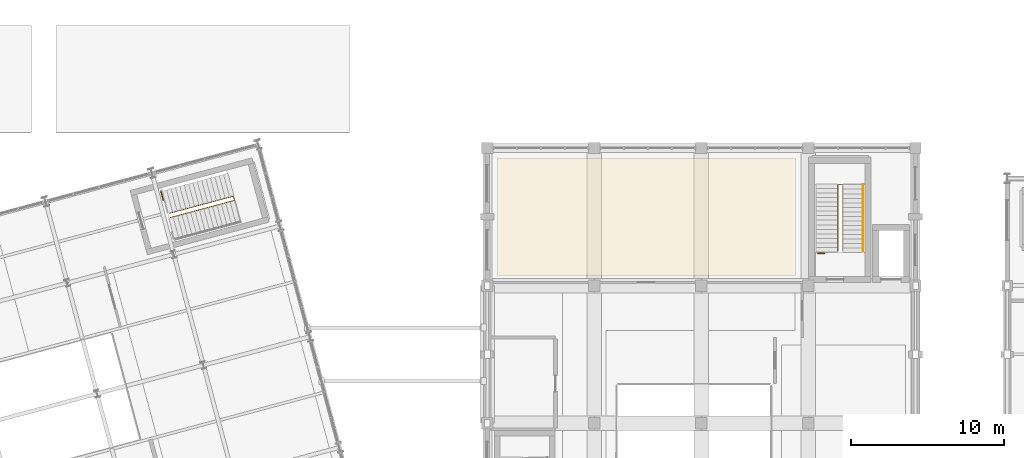
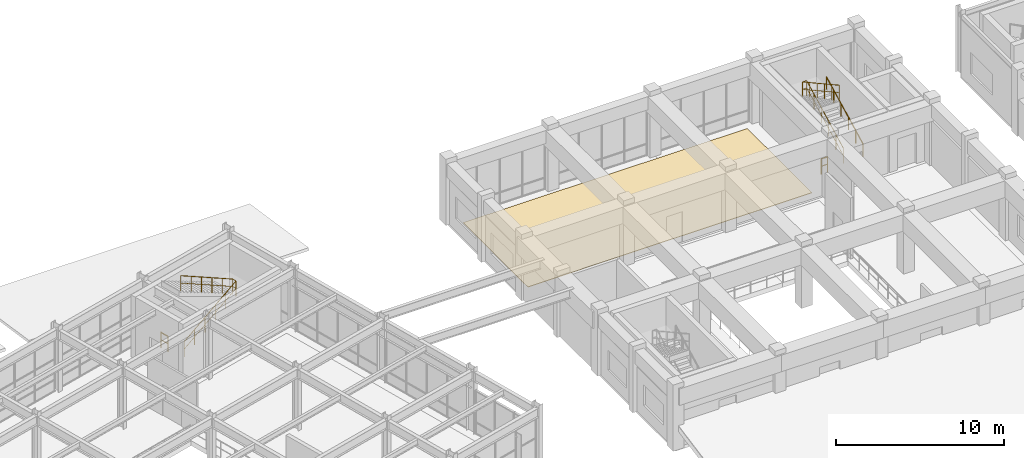
# One storey, part 102 of 104: 5 railings, 1 covering.
"""IFC4 building model written with IfcOpenShell, lengths in metres."""

from ifc_helpers import new_model, si_unit, direction, frame, origin, origin_2d, place, context, subcontext, project, spatial, polyline, circle, outline, extrude, material, layer, layer_set, type_object, element, save


model = new_model("IFC4")

# Units and contexts
model_context = context("Model", 3, precision=1e-05, world=origin(), true_north=direction((0.0, 1.0)))
body_context = subcontext(model_context, "Body", "Model", "MODEL_VIEW")
ifc_project = project(units=[si_unit("LENGTHUNIT", "METRE"), si_unit("AREAUNIT", "SQUARE_METRE"), si_unit("VOLUMEUNIT", "CUBIC_METRE"), si_unit("PLANEANGLEUNIT", "RADIAN"), si_unit("MASSUNIT", "GRAM", prefix="KILO")], contexts=[model_context])

# Site, building, storey
site_placement = place(None, origin())
site = spatial("IfcSite", under=ifc_project, at=site_placement, CompositionType="ELEMENT")
building_placement = place(site_placement, origin())
building = spatial("IfcBuilding", under=site, at=building_placement, Name="Ventoquebrada Cableway Terminal", CompositionType="ELEMENT")
storey_placement = place(building_placement, frame((0.0, 0.0, 4.800048828125)))
storey = spatial("IfcBuildingStorey", under=building, at=storey_placement, Name="L01", CompositionType="ELEMENT", Elevation=4.800048828125)

# Covering
ifc_material_1 = material(Name="Honed volcanic basalt stone flooring", Category="masonry")
ifc_layer = layer(ifc_material_1, 0.034912109375)
ifc_layer_set = layer_set([ifc_layer], Name="Honed volcanic basalt stone flooring")
covering_type = type_object("IfcCoveringType", Name="COV-FL01", PredefinedType="FLOORING", material=ifc_layer_set)
covering_placement = place(storey_placement, origin())
element("IfcCovering", 1, at=covering_placement, inside=storey, type_object=covering_type, Name="Honed basalt floor finish FL-14", PredefinedType="FLOORING", context=body_context, shape_type="SweptSolid", body=[
    extrude(outline(polyline([(95.64990234375, 95.64990234375), (99.31103515625, 95.64990234375), (99.35791015625, 95.669921875), (115.14990234375, 95.669921875), (115.14990234375, 103.35009765625), (95.64990234375, 103.35009765625), (95.64990234375, 95.64990234375)])), origin(), (0.0, 0.0, 1.0), 0.034912109375),
])

# Railings
ifc_material_2 = material(Name="Brushed stainless steel Grade 316", Category="steel")
railing_type_1 = type_object("IfcRailingType", Name="RL-GD01", PredefinedType="GUARDRAIL", material=ifc_material_2)
railing_1_placement = place(storey_placement, frame((118.2099609375, 97.25, 0.14990234375)))
element("IfcRailing", 2, at=railing_1_placement, inside=storey, type_object=railing_type_1, Name="Stair well guardrail GR-S29", PredefinedType="GUARDRAIL", context=body_context, shape_type="SweptSolid", body=[
    extrude(circle(Radius=0.02392578125, at=origin_2d()), frame((0.0, 0.001708984375, 1.096923828125), z_axis=(0.0, 0.888221851817, 0.459414782038), x_axis=(-1.0, 0.0, 0.0)), (0.0, 0.0, 1.0), 4.8935546875),
    extrude(circle(Radius=0.01611328125, at=origin_2d()), frame((0.0, 0.001708984375, 0.56103515625), z_axis=(0.0, 0.888221851817, 0.459414782038), x_axis=(-1.0, 0.0, 0.0)), (0.0, 0.0, 1.0), 4.8935546875),
    extrude(circle(Radius=0.02392578125, at=origin_2d()), frame((-0.001953125, 4.35009765625, 3.34619140625), z_axis=(-1.0, 0.0, 0.0), x_axis=(0.0, -1.0, 0.0)), (0.0, 0.0, 1.0), 0.276123046875),
    extrude(circle(Radius=0.01611328125, at=origin_2d()), frame((-0.001953125, 4.35009765625, 2.81005859375), z_axis=(-1.0, 0.0, 0.0), x_axis=(0.0, -1.0, 0.0)), (0.0, 0.0, 1.0), 0.276123046875),
    extrude(circle(Radius=0.02392578125, at=origin_2d()), frame((-0.280029296875, 4.348388671875, 3.346923828125), z_axis=(0.0, -0.875569800069, 0.483091632309), x_axis=(1.0, 0.0, 0.0)), (0.0, 0.0, 1.0), 4.96435546875),
    extrude(circle(Radius=0.01611328125, at=origin_2d()), frame((-0.280029296875, 4.348388671875, 2.81103515625), z_axis=(0.0, -0.875569800069, 0.483091632309), x_axis=(1.0, 0.0, 0.0)), (0.0, 0.0, 1.0), 4.96435546875),
    extrude(circle(Radius=0.02099609375, at=origin_2d()), origin(), (0.0, 0.0, 1.0), 1.072021484375),
    extrude(circle(Radius=0.02099609375, at=origin_2d()), frame((0.0, 0.8701171875, 0.449951171875)), (0.0, 0.0, 1.0), 1.072021484375),
    extrude(circle(Radius=0.02099609375, at=origin_2d()), frame((0.0, 1.739990234375, 0.89990234375)), (0.0, 0.0, 1.0), 1.072021484375),
    extrude(circle(Radius=0.02099609375, at=origin_2d()), frame((0.0, 2.610107421875, 1.35009765625)), (0.0, 0.0, 1.0), 1.072021484375),
    extrude(circle(Radius=0.02099609375, at=origin_2d()), frame((0.0, 3.47998046875, 1.800048828125)), (0.0, 0.0, 1.0), 1.072021484375),
    extrude(circle(Radius=0.02099609375, at=origin_2d()), frame((0.0, 4.35009765625, 2.25)), (0.0, 0.0, 1.0), 1.072021484375),
    extrude(circle(Radius=0.02099609375, at=origin_2d()), frame((-0.280029296875, 4.35009765625, 2.25)), (0.0, 0.0, 1.0), 1.072021484375),
    extrude(circle(Radius=0.02099609375, at=origin_2d()), frame((-0.280029296875, 3.47998046875, 2.72998046875)), (0.0, 0.0, 1.0), 1.072021484375),
    extrude(circle(Radius=0.02099609375, at=origin_2d()), frame((-0.280029296875, 2.610107421875, 3.2099609375)), (0.0, 0.0, 1.0), 1.072021484375),
    extrude(circle(Radius=0.02099609375, at=origin_2d()), frame((-0.280029296875, 1.739990234375, 3.690185546875)), (0.0, 0.0, 1.0), 1.072021484375),
    extrude(circle(Radius=0.02099609375, at=origin_2d()), frame((-0.280029296875, 0.8701171875, 4.170166015625)), (0.0, 0.0, 1.0), 1.072021484375),
    extrude(circle(Radius=0.02099609375, at=origin_2d()), frame((-0.280029296875, 0.0, 4.650146484375)), (0.0, 0.0, 1.0), 1.072021484375),
])
railing_2_placement = place(storey_placement, frame((74.259033203125, 99.450927734375, 0.14990234375)))
element("IfcRailing", 3, at=railing_2_placement, inside=storey, type_object=railing_type_1, Name="Stair well guardrail GR-S34", PredefinedType="GUARDRAIL", context=body_context, shape_type="SweptSolid", body=[
    extrude(circle(Radius=0.02392578125, at=origin_2d()), frame((0.001708984375, 0.00048828125, 1.096923828125), z_axis=(0.857954622313, 0.229904521417, 0.459410249215), x_axis=(-0.258836138861, 0.965921245868, 0.0)), (0.0, 0.0, 1.0), 4.8935546875),
    extrude(circle(Radius=0.01611328125, at=origin_2d()), frame((0.001708984375, 0.00048828125, 0.56103515625), z_axis=(0.857954622313, 0.229904521417, 0.459410249215), x_axis=(-0.258836138861, 0.965921245868, 0.0)), (0.0, 0.0, 1.0), 4.8935546875),
    extrude(circle(Radius=0.02392578125, at=origin_2d()), frame((4.201416015625, 1.1279296875, 3.34619140625), z_axis=(-0.260098256048, 0.965582154558, 0.0), x_axis=(-0.965582154558, -0.260098256048, 0.0)), (0.0, 0.0, 1.0), 0.276611328125),
    extrude(circle(Radius=0.01611328125, at=origin_2d()), frame((4.201416015625, 1.1279296875, 2.81005859375), z_axis=(-0.260098256048, 0.965582154558, 0.0), x_axis=(-0.965582154558, -0.260098256048, 0.0)), (0.0, 0.0, 1.0), 0.276611328125),
    extrude(circle(Radius=0.02392578125, at=origin_2d()), frame((4.127197265625, 1.396484375, 3.346923828125), z_axis=(-0.845677960168, -0.226667446521, 0.483167317162), x_axis=(0.258892276357, -0.965906201058, 0.0)), (0.0, 0.0, 1.0), 4.963623046875),
    extrude(circle(Radius=0.01611328125, at=origin_2d()), frame((4.127197265625, 1.396484375, 2.81103515625), z_axis=(-0.845677960168, -0.226667446521, 0.483167317162), x_axis=(0.258892276357, -0.965906201058, 0.0)), (0.0, 0.0, 1.0), 4.963623046875),
    extrude(circle(Radius=0.02099609375, at=origin_2d()), origin(), (0.0, 0.0, 1.0), 1.072021484375),
    extrude(circle(Radius=0.02099609375, at=origin_2d()), frame((0.84033203125, 0.22509765625, 0.449951171875)), (0.0, 0.0, 1.0), 1.072021484375),
    extrude(circle(Radius=0.02099609375, at=origin_2d()), frame((1.6806640625, 0.450439453125, 0.89990234375)), (0.0, 0.0, 1.0), 1.072021484375),
    extrude(circle(Radius=0.02099609375, at=origin_2d()), frame((2.521240234375, 0.675537109375, 1.35009765625)), (0.0, 0.0, 1.0), 1.072021484375),
    extrude(circle(Radius=0.02099609375, at=origin_2d()), frame((3.361572265625, 0.90087890625, 1.800048828125)), (0.0, 0.0, 1.0), 1.072021484375),
    extrude(circle(Radius=0.02099609375, at=origin_2d()), frame((4.201904296875, 1.1259765625, 2.25)), (0.0, 0.0, 1.0), 1.072021484375),
    extrude(circle(Radius=0.02099609375, at=origin_2d()), frame((4.12890625, 1.39697265625, 2.25)), (0.0, 0.0, 1.0), 1.072021484375),
    extrude(circle(Radius=0.02099609375, at=origin_2d()), frame((3.288818359375, 1.171875, 2.72998046875)), (0.0, 0.0, 1.0), 1.072021484375),
    extrude(circle(Radius=0.02099609375, at=origin_2d()), frame((2.448486328125, 0.946533203125, 3.2099609375)), (0.0, 0.0, 1.0), 1.072021484375),
    extrude(circle(Radius=0.02099609375, at=origin_2d()), frame((1.6083984375, 0.721435546875, 3.690185546875)), (0.0, 0.0, 1.0), 1.072021484375),
    extrude(circle(Radius=0.02099609375, at=origin_2d()), frame((0.76806640625, 0.49609375, 4.170166015625)), (0.0, 0.0, 1.0), 1.072021484375),
    extrude(circle(Radius=0.02099609375, at=origin_2d()), frame((-0.072021484375, 0.27099609375, 4.650146484375)), (0.0, 0.0, 1.0), 1.072021484375),
])
railing_3_placement = place(storey_placement, frame((116.6201171875, 97.110107421875, 0.0)))
element("IfcRailing", 4, at=railing_3_placement, inside=storey, type_object=railing_type_1, Name="Open-edge guardrail GR-E070", PredefinedType="GUARDRAIL", context=body_context, shape_type="SweptSolid", body=[
    extrude(circle(Radius=0.02392578125, at=origin_2d()), frame((0.001953125, 0.0, 1.09619140625), z_axis=(1.0, 0.0, 0.0), x_axis=(0.0, 1.0, 0.0)), (0.0, 0.0, 1.0), 0.416015625),
    extrude(circle(Radius=0.01611328125, at=origin_2d()), frame((0.001953125, 0.0, 0.56005859375), z_axis=(1.0, 0.0, 0.0), x_axis=(0.0, 1.0, 0.0)), (0.0, 0.0, 1.0), 0.416015625),
    extrude(circle(Radius=0.02099609375, at=origin_2d()), origin(), (0.0, 0.0, 1.0), 1.072021484375),
    extrude(circle(Radius=0.02099609375, at=origin_2d()), frame((0.419921875, 0.0, 0.0)), (0.0, 0.0, 1.0), 1.072021484375),
])
railing_4_placement = place(storey_placement, frame((73.653076171875, 101.1689453125, 0.0)))
element("IfcRailing", 5, at=railing_4_placement, inside=storey, type_object=railing_type_1, Name="Open-edge guardrail GR-E073", PredefinedType="GUARDRAIL", context=body_context, shape_type="SweptSolid", body=[
    extrude(circle(Radius=0.02392578125, at=origin_2d()), frame((0.00048828125, -0.001953125, 1.09619140625), z_axis=(0.258428510656, -0.966030385071, 0.0), x_axis=(0.966030385071, 0.258428510656, 0.0)), (0.0, 0.0, 1.0), 0.591064453125),
    extrude(circle(Radius=0.01611328125, at=origin_2d()), frame((0.00048828125, -0.001953125, 0.56005859375), z_axis=(0.258428510656, -0.966030385071, 0.0), x_axis=(0.966030385071, 0.258428510656, 0.0)), (0.0, 0.0, 1.0), 0.591064453125),
    extrude(circle(Radius=0.02099609375, at=origin_2d()), origin(), (0.0, 0.0, 1.0), 1.072021484375),
    extrude(circle(Radius=0.02099609375, at=origin_2d()), frame((0.15380859375, -0.574951171875, 0.0)), (0.0, 0.0, 1.0), 1.072021484375),
])
railing_type_2 = type_object("IfcRailingType", Name="RL-HR01", PredefinedType="HANDRAIL", material=ifc_material_2)
railing_5_placement = place(storey_placement, frame((119.570068359375, 97.25, 0.14990234375)))
element("IfcRailing", 6, at=railing_5_placement, inside=storey, type_object=railing_type_2, Name="Stair wall handrail HR-S29", PredefinedType="HANDRAIL", context=body_context, shape_type="SweptSolid", body=[
    extrude(circle(Radius=0.02392578125, at=origin_2d()), frame((0.0, 0.001708984375, 0.896728515625), z_axis=(0.0, 0.888221851817, 0.459414782038), x_axis=(-1.0, 0.0, 0.0)), (0.0, 0.0, 1.0), 4.8935546875),
    extrude(circle(Radius=0.02099609375, at=origin_2d()), origin(), (0.0, 0.0, 1.0), 0.871826171875),
    extrude(circle(Radius=0.02099609375, at=origin_2d()), frame((0.0, 0.8701171875, 0.449951171875)), (0.0, 0.0, 1.0), 0.871826171875),
    extrude(circle(Radius=0.02099609375, at=origin_2d()), frame((0.0, 1.739990234375, 0.89990234375)), (0.0, 0.0, 1.0), 0.871826171875),
    extrude(circle(Radius=0.02099609375, at=origin_2d()), frame((0.0, 2.610107421875, 1.35009765625)), (0.0, 0.0, 1.0), 0.871826171875),
    extrude(circle(Radius=0.02099609375, at=origin_2d()), frame((0.0, 3.47998046875, 1.800048828125)), (0.0, 0.0, 1.0), 0.871826171875),
    extrude(circle(Radius=0.02099609375, at=origin_2d()), frame((0.0, 4.35009765625, 2.25)), (0.0, 0.0, 1.0), 0.871826171875),
])

save(model, "model.ifc")
